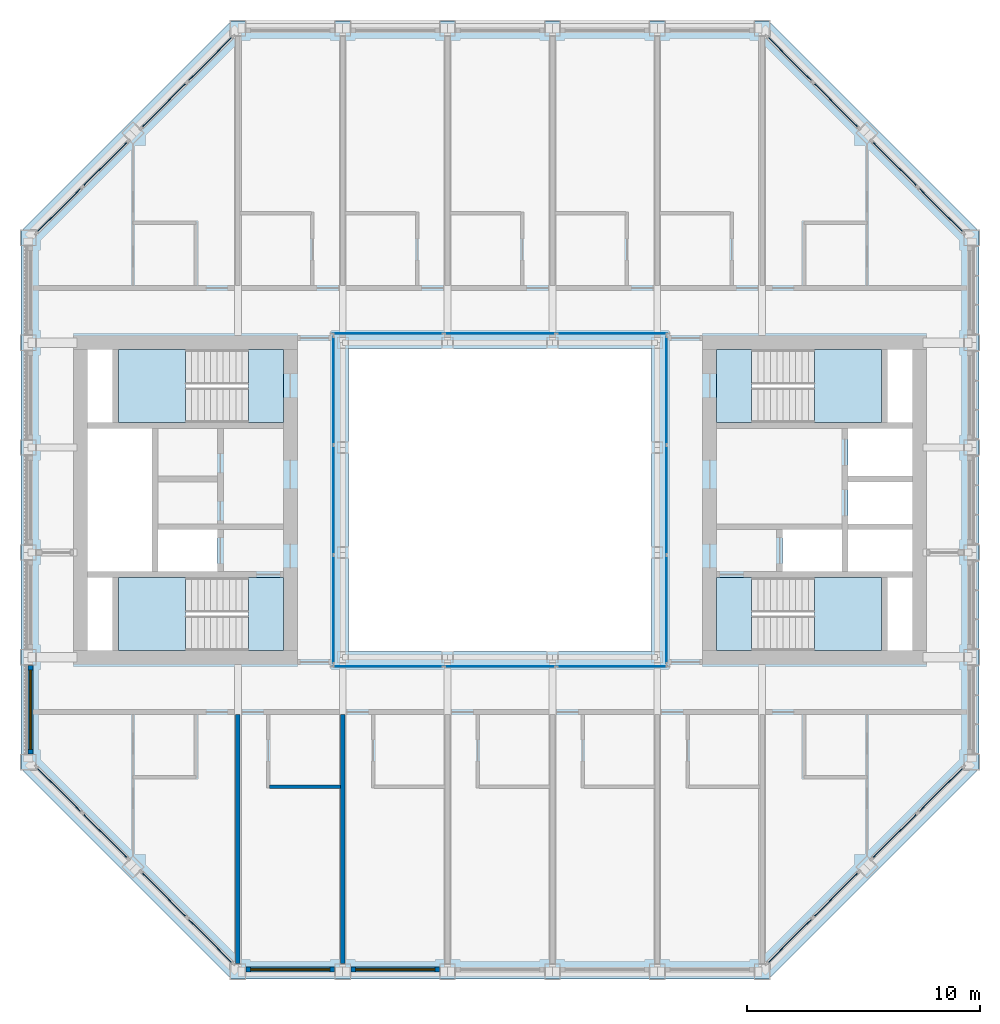
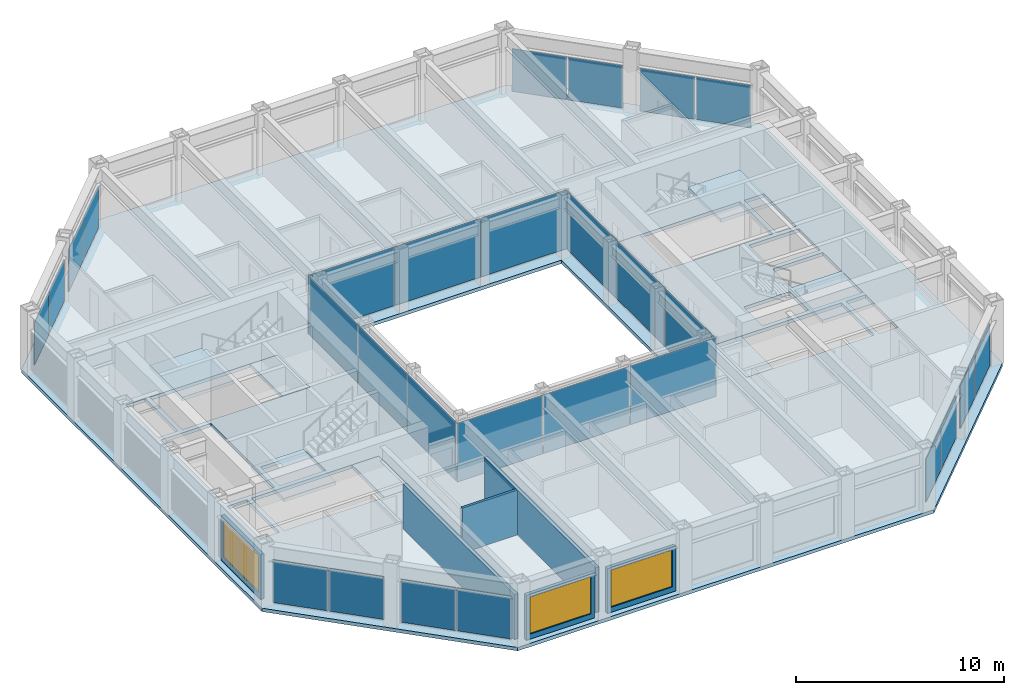
# One storey, part 8 of 18: 28 plates, 9 slabs, 6 walls, 3 windows, 3 openings, 16 elements without a shape of their own.
"""IFC4 building model written with IfcOpenShell, lengths in metres."""

from ifc_helpers import new_model, si_unit, direction, frame, frame_2d, origin, origin_2d, place, context, subcontext, project, spatial, polyline, rectangle, outline, extrude, material, layer, layer_set, type_object, element, fill, aggregate, save


model = new_model("IFC4")

# Units and contexts
model_context = context("Model", 3, precision=1e-05, world=origin(), true_north=direction((0.0, 1.0)))
body_context = subcontext(model_context, "Body", "Model", "MODEL_VIEW")
ifc_project = project(units=[si_unit("LENGTHUNIT", "METRE"), si_unit("AREAUNIT", "SQUARE_METRE"), si_unit("VOLUMEUNIT", "CUBIC_METRE"), si_unit("PLANEANGLEUNIT", "RADIAN"), si_unit("MASSUNIT", "GRAM", prefix="KILO")], contexts=[model_context])

# Site, building, storey
site_placement = place(None, origin())
site = spatial("IfcSite", under=ifc_project, at=site_placement, CompositionType="ELEMENT")
building_placement = place(site_placement, origin())
building = spatial("IfcBuilding", under=site, at=building_placement, Name="Msasa Ring Tower", CompositionType="ELEMENT")
storey_placement = place(building_placement, frame((0.0, 0.0, 200.800048828125)))
storey = spatial("IfcBuildingStorey", under=building, at=storey_placement, Name="L52", CompositionType="ELEMENT", Elevation=200.800048828125)

# Curtain wall, plates
ifc_material_1 = material(Name="Aluminium curtain wall with clear glass", Category="aluminium")
curtain_wall_type_1 = type_object("IfcCurtainWallType", Name="CW-C CHAMFER CORNER CURTAIN WALL", PredefinedType="NOTDEFINED", material=ifc_material_1)
curtain_wall_1_placement = place(storey_placement, origin())
curtain_wall_1 = element("IfcCurtainWall", 1, at=curtain_wall_1_placement, inside=storey, type_object=curtain_wall_type_1, Name="Chamfer corner curtain wall SE L52", PredefinedType="NOTDEFINED")
ifc_material_2 = material(Name="Clear laminated insulating glass unit", Category="glass")
ifc_layer_1 = layer(ifc_material_2, 0.031982421875)
ifc_layer_set_1 = layer_set([ifc_layer_1], Name="CW-C GLASS PANEL 32")
plate_type_1 = type_object("IfcPlateType", Name="CW-C GLASS PANEL 32", PredefinedType="CURTAIN_PANEL", material=ifc_layer_set_1)
plate_1_placement = place(storey_placement, frame((12.44140625, -18.917236328125, 0.06494140625), z_axis=(0.0, 0.0, 1.0), x_axis=(0.707106781187, 0.707106781187, 0.0)))
plate_1 = element("IfcPlate", 2, at=plate_1_placement, type_object=plate_type_1, Name="CW-C panel 1.1", PredefinedType="CURTAIN_PANEL", context=body_context, shape_type="SweptSolid", body=[
    extrude(rectangle(XDim=2.7294921875, YDim=0.031982421875, at=origin_2d()), origin(), (0.0, 0.0, 1.0), 2.4990234375),
])
plate_2_placement = place(storey_placement, frame((14.417236328125, -16.94140625, 0.06494140625), z_axis=(0.0, 0.0, 1.0), x_axis=(0.707106781187, 0.707106781187, 0.0)))
plate_2 = element("IfcPlate", 3, at=plate_2_placement, type_object=plate_type_1, Name="CW-C panel 2.1", PredefinedType="CURTAIN_PANEL", context=body_context, shape_type="SweptSolid", body=[
    extrude(rectangle(XDim=2.7294921875, YDim=0.031982421875, at=origin_2d()), origin(), (0.0, 0.0, 1.0), 2.4990234375),
])
aggregate(curtain_wall_1, [plate_1, plate_2])

curtain_wall_2_placement = place(storey_placement, origin())
curtain_wall_2 = element("IfcCurtainWall", 4, at=curtain_wall_2_placement, inside=storey, type_object=curtain_wall_type_1, Name="Chamfer corner curtain wall SE L52", PredefinedType="NOTDEFINED")
plate_3_placement = place(storey_placement, frame((16.94140625, -14.417236328125, 0.06494140625), z_axis=(0.0, 0.0, 1.0), x_axis=(0.707106781187, 0.707106781187, 0.0)))
plate_3 = element("IfcPlate", 5, at=plate_3_placement, type_object=plate_type_1, Name="CW-C panel 1.1", PredefinedType="CURTAIN_PANEL", context=body_context, shape_type="SweptSolid", body=[
    extrude(rectangle(XDim=2.7294921875, YDim=0.031982421875, at=origin_2d()), origin(), (0.0, 0.0, 1.0), 2.4990234375),
])
plate_4_placement = place(storey_placement, frame((18.917236328125, -12.44140625, 0.06494140625), z_axis=(0.0, 0.0, 1.0), x_axis=(0.707106781187, 0.707106781187, 0.0)))
plate_4 = element("IfcPlate", 6, at=plate_4_placement, type_object=plate_type_1, Name="CW-C panel 2.1", PredefinedType="CURTAIN_PANEL", context=body_context, shape_type="SweptSolid", body=[
    extrude(rectangle(XDim=2.7294921875, YDim=0.031982421875, at=origin_2d()), origin(), (0.0, 0.0, 1.0), 2.4990234375),
])
aggregate(curtain_wall_2, [plate_3, plate_4])

curtain_wall_3_placement = place(storey_placement, origin())
curtain_wall_3 = element("IfcCurtainWall", 7, at=curtain_wall_3_placement, inside=storey, type_object=curtain_wall_type_1, Name="Chamfer corner curtain wall NE L52", PredefinedType="NOTDEFINED")
plate_5_placement = place(storey_placement, frame((14.417236328125, 16.94140625, 0.06494140625), z_axis=(0.0, 0.0, 1.0), x_axis=(-0.707106781187, 0.707106781187, 0.0)))
plate_5 = element("IfcPlate", 8, at=plate_5_placement, type_object=plate_type_1, Name="CW-C panel 1.1", PredefinedType="CURTAIN_PANEL", context=body_context, shape_type="SweptSolid", body=[
    extrude(rectangle(XDim=2.7294921875, YDim=0.031982421875, at=origin_2d()), origin(), (0.0, 0.0, 1.0), 2.4990234375),
])
plate_6_placement = place(storey_placement, frame((12.44140625, 18.917236328125, 0.06494140625), z_axis=(0.0, 0.0, 1.0), x_axis=(-0.707106781187, 0.707106781187, 0.0)))
plate_6 = element("IfcPlate", 9, at=plate_6_placement, type_object=plate_type_1, Name="CW-C panel 2.1", PredefinedType="CURTAIN_PANEL", context=body_context, shape_type="SweptSolid", body=[
    extrude(rectangle(XDim=2.7294921875, YDim=0.031982421875, at=origin_2d()), origin(), (0.0, 0.0, 1.0), 2.4990234375),
])
aggregate(curtain_wall_3, [plate_5, plate_6])

curtain_wall_4_placement = place(storey_placement, origin())
curtain_wall_4 = element("IfcCurtainWall", 10, at=curtain_wall_4_placement, inside=storey, type_object=curtain_wall_type_1, Name="Chamfer corner curtain wall NE L52", PredefinedType="NOTDEFINED")
plate_7_placement = place(storey_placement, frame((18.917236328125, 12.44140625, 0.06494140625), z_axis=(0.0, 0.0, 1.0), x_axis=(-0.707106781187, 0.707106781187, 0.0)))
plate_7 = element("IfcPlate", 11, at=plate_7_placement, type_object=plate_type_1, Name="CW-C panel 1.1", PredefinedType="CURTAIN_PANEL", context=body_context, shape_type="SweptSolid", body=[
    extrude(rectangle(XDim=2.7294921875, YDim=0.031982421875, at=origin_2d()), origin(), (0.0, 0.0, 1.0), 2.4990234375),
])
plate_8_placement = place(storey_placement, frame((16.94140625, 14.417236328125, 0.06494140625), z_axis=(0.0, 0.0, 1.0), x_axis=(-0.707106781187, 0.707106781187, 0.0)))
plate_8 = element("IfcPlate", 12, at=plate_8_placement, type_object=plate_type_1, Name="CW-C panel 2.1", PredefinedType="CURTAIN_PANEL", context=body_context, shape_type="SweptSolid", body=[
    extrude(rectangle(XDim=2.7294921875, YDim=0.031982421875, at=origin_2d()), origin(), (0.0, 0.0, 1.0), 2.4990234375),
])
aggregate(curtain_wall_4, [plate_7, plate_8])

curtain_wall_5_placement = place(storey_placement, origin())
curtain_wall_5 = element("IfcCurtainWall", 13, at=curtain_wall_5_placement, inside=storey, type_object=curtain_wall_type_1, Name="Chamfer corner curtain wall NW L52", PredefinedType="NOTDEFINED")
plate_9_placement = place(storey_placement, frame((-16.94140625, 14.417236328125, 0.06494140625), z_axis=(0.0, 0.0, 1.0), x_axis=(-0.707106781187, -0.707106781187, 0.0)))
plate_9 = element("IfcPlate", 14, at=plate_9_placement, type_object=plate_type_1, Name="CW-C panel 1.1", PredefinedType="CURTAIN_PANEL", context=body_context, shape_type="SweptSolid", body=[
    extrude(rectangle(XDim=2.7294921875, YDim=0.031982421875, at=origin_2d()), origin(), (0.0, 0.0, 1.0), 2.4990234375),
])
plate_10_placement = place(storey_placement, frame((-18.917236328125, 12.44140625, 0.06494140625), z_axis=(0.0, 0.0, 1.0), x_axis=(-0.707106781187, -0.707106781187, 0.0)))
plate_10 = element("IfcPlate", 15, at=plate_10_placement, type_object=plate_type_1, Name="CW-C panel 2.1", PredefinedType="CURTAIN_PANEL", context=body_context, shape_type="SweptSolid", body=[
    extrude(rectangle(XDim=2.7294921875, YDim=0.031982421875, at=origin_2d()), origin(), (0.0, 0.0, 1.0), 2.4990234375),
])
aggregate(curtain_wall_5, [plate_9, plate_10])

curtain_wall_6_placement = place(storey_placement, origin())
curtain_wall_6 = element("IfcCurtainWall", 16, at=curtain_wall_6_placement, inside=storey, type_object=curtain_wall_type_1, Name="Chamfer corner curtain wall NW L52", PredefinedType="NOTDEFINED")
plate_11_placement = place(storey_placement, frame((-12.44140625, 18.917236328125, 0.06494140625), z_axis=(0.0, 0.0, 1.0), x_axis=(-0.707106781187, -0.707106781187, 0.0)))
plate_11 = element("IfcPlate", 17, at=plate_11_placement, type_object=plate_type_1, Name="CW-C panel 1.1", PredefinedType="CURTAIN_PANEL", context=body_context, shape_type="SweptSolid", body=[
    extrude(rectangle(XDim=2.7294921875, YDim=0.031982421875, at=origin_2d()), origin(), (0.0, 0.0, 1.0), 2.4990234375),
])
plate_12_placement = place(storey_placement, frame((-14.417236328125, 16.94140625, 0.06494140625), z_axis=(0.0, 0.0, 1.0), x_axis=(-0.707106781187, -0.707106781187, 0.0)))
plate_12 = element("IfcPlate", 18, at=plate_12_placement, type_object=plate_type_1, Name="CW-C panel 2.1", PredefinedType="CURTAIN_PANEL", context=body_context, shape_type="SweptSolid", body=[
    extrude(rectangle(XDim=2.7294921875, YDim=0.031982421875, at=origin_2d()), origin(), (0.0, 0.0, 1.0), 2.4990234375),
])
aggregate(curtain_wall_6, [plate_11, plate_12])

curtain_wall_7_placement = place(storey_placement, origin())
curtain_wall_7 = element("IfcCurtainWall", 19, at=curtain_wall_7_placement, inside=storey, type_object=curtain_wall_type_1, Name="Chamfer corner curtain wall SW L52", PredefinedType="NOTDEFINED")
plate_13_placement = place(storey_placement, frame((-18.917236328125, -12.44140625, 0.06494140625), z_axis=(0.0, 0.0, 1.0), x_axis=(0.707106781187, -0.707106781187, 0.0)))
plate_13 = element("IfcPlate", 20, at=plate_13_placement, type_object=plate_type_1, Name="CW-C panel 1.1", PredefinedType="CURTAIN_PANEL", context=body_context, shape_type="SweptSolid", body=[
    extrude(rectangle(XDim=2.7294921875, YDim=0.031982421875, at=origin_2d()), origin(), (0.0, 0.0, 1.0), 2.4990234375),
])
plate_14_placement = place(storey_placement, frame((-16.94140625, -14.417236328125, 0.06494140625), z_axis=(0.0, 0.0, 1.0), x_axis=(0.707106781187, -0.707106781187, 0.0)))
plate_14 = element("IfcPlate", 21, at=plate_14_placement, type_object=plate_type_1, Name="CW-C panel 2.1", PredefinedType="CURTAIN_PANEL", context=body_context, shape_type="SweptSolid", body=[
    extrude(rectangle(XDim=2.7294921875, YDim=0.031982421875, at=origin_2d()), origin(), (0.0, 0.0, 1.0), 2.4990234375),
])
aggregate(curtain_wall_7, [plate_13, plate_14])

curtain_wall_8_placement = place(storey_placement, origin())
curtain_wall_8 = element("IfcCurtainWall", 22, at=curtain_wall_8_placement, inside=storey, type_object=curtain_wall_type_1, Name="Chamfer corner curtain wall SW L52", PredefinedType="NOTDEFINED")
plate_15_placement = place(storey_placement, frame((-14.417236328125, -16.94140625, 0.06494140625), z_axis=(0.0, 0.0, 1.0), x_axis=(0.707106781187, -0.707106781187, 0.0)))
plate_15 = element("IfcPlate", 23, at=plate_15_placement, type_object=plate_type_1, Name="CW-C panel 1.1", PredefinedType="CURTAIN_PANEL", context=body_context, shape_type="SweptSolid", body=[
    extrude(rectangle(XDim=2.7294921875, YDim=0.031982421875, at=origin_2d()), origin(), (0.0, 0.0, 1.0), 2.4990234375),
])
plate_16_placement = place(storey_placement, frame((-12.44140625, -18.917236328125, 0.06494140625), z_axis=(0.0, 0.0, 1.0), x_axis=(0.707106781187, -0.707106781187, 0.0)))
plate_16 = element("IfcPlate", 24, at=plate_16_placement, type_object=plate_type_1, Name="CW-C panel 2.1", PredefinedType="CURTAIN_PANEL", context=body_context, shape_type="SweptSolid", body=[
    extrude(rectangle(XDim=2.7294921875, YDim=0.031982421875, at=origin_2d()), origin(), (0.0, 0.0, 1.0), 2.4990234375),
])
aggregate(curtain_wall_8, [plate_15, plate_16])

ifc_material_3 = material(Name="Aluminium curtain wall with clear glass", Category="aluminium")
curtain_wall_type_2 = type_object("IfcCurtainWallType", Name="CW-W LIGHT WELL CURTAIN WALL", PredefinedType="NOTDEFINED", material=ifc_material_3)
curtain_wall_9_placement = place(storey_placement, origin())
curtain_wall_9 = element("IfcCurtainWall", 25, at=curtain_wall_9_placement, inside=storey, type_object=curtain_wall_type_2, Name="Light well curtain wall N L52", PredefinedType="NOTDEFINED")
ifc_material_4 = material(Name="Clear laminated insulating glass unit", Category="glass")
ifc_layer_2 = layer(ifc_material_4, 0.028076171875)
ifc_layer_set_2 = layer_set([ifc_layer_2], Name="CW-W GLASS PANEL 28")
plate_type_2 = type_object("IfcPlateType", Name="CW-W GLASS PANEL 28", PredefinedType="CURTAIN_PANEL", material=ifc_layer_set_2)
plate_17_placement = place(storey_placement, frame((-4.804931640625, 7.14990234375, 0.06005859375), z_axis=(0.0, 0.0, 1.0), x_axis=(1.0, 0.0, 0.0)))
plate_17 = element("IfcPlate", 26, at=plate_17_placement, type_object=plate_type_2, Name="CW-W panel 1.1", PredefinedType="CURTAIN_PANEL", context=body_context, shape_type="SweptSolid", body=[
    extrude(rectangle(XDim=4.72998046875, YDim=0.028076171875, at=origin_2d()), origin(), (0.0, 0.0, 1.0), 3.429931640625),
])
plate_18_placement = place(storey_placement, frame((0.0, 7.14990234375, 0.06005859375), z_axis=(0.0, 0.0, 1.0), x_axis=(1.0, 0.0, 0.0)))
plate_18 = element("IfcPlate", 27, at=plate_18_placement, type_object=plate_type_2, Name="CW-W panel 2.1", PredefinedType="CURTAIN_PANEL", context=body_context, shape_type="SweptSolid", body=[
    extrude(rectangle(XDim=4.760009765625, YDim=0.028076171875, at=origin_2d()), origin(), (0.0, 0.0, 1.0), 3.429931640625),
])
plate_19_placement = place(storey_placement, frame((4.804931640625, 7.14990234375, 0.06005859375), z_axis=(0.0, 0.0, 1.0), x_axis=(1.0, 0.0, 0.0)))
plate_19 = element("IfcPlate", 28, at=plate_19_placement, type_object=plate_type_2, Name="CW-W panel 3.1", PredefinedType="CURTAIN_PANEL", context=body_context, shape_type="SweptSolid", body=[
    extrude(rectangle(XDim=4.72998046875, YDim=0.028076171875, at=origin_2d()), origin(), (0.0, 0.0, 1.0), 3.429931640625),
])
aggregate(curtain_wall_9, [plate_17, plate_18, plate_19])

curtain_wall_10_placement = place(storey_placement, origin())
curtain_wall_10 = element("IfcCurtainWall", 29, at=curtain_wall_10_placement, inside=storey, type_object=curtain_wall_type_2, Name="Light well curtain wall S L52", PredefinedType="NOTDEFINED")
plate_20_placement = place(storey_placement, frame((-4.804931640625, -7.14990234375, 0.06005859375), z_axis=(0.0, 0.0, 1.0), x_axis=(1.0, 0.0, 0.0)))
plate_20 = element("IfcPlate", 30, at=plate_20_placement, type_object=plate_type_2, Name="CW-W panel 1.1", PredefinedType="CURTAIN_PANEL", context=body_context, shape_type="SweptSolid", body=[
    extrude(rectangle(XDim=4.72998046875, YDim=0.028076171875, at=origin_2d()), origin(), (0.0, 0.0, 1.0), 3.429931640625),
])
plate_21_placement = place(storey_placement, frame((0.0, -7.14990234375, 0.06005859375), z_axis=(0.0, 0.0, 1.0), x_axis=(1.0, 0.0, 0.0)))
plate_21 = element("IfcPlate", 31, at=plate_21_placement, type_object=plate_type_2, Name="CW-W panel 2.1", PredefinedType="CURTAIN_PANEL", context=body_context, shape_type="SweptSolid", body=[
    extrude(rectangle(XDim=4.760009765625, YDim=0.028076171875, at=origin_2d()), origin(), (0.0, 0.0, 1.0), 3.429931640625),
])
plate_22_placement = place(storey_placement, frame((4.804931640625, -7.14990234375, 0.06005859375), z_axis=(0.0, 0.0, 1.0), x_axis=(1.0, 0.0, 0.0)))
plate_22 = element("IfcPlate", 32, at=plate_22_placement, type_object=plate_type_2, Name="CW-W panel 3.1", PredefinedType="CURTAIN_PANEL", context=body_context, shape_type="SweptSolid", body=[
    extrude(rectangle(XDim=4.72998046875, YDim=0.028076171875, at=origin_2d()), origin(), (0.0, 0.0, 1.0), 3.429931640625),
])
aggregate(curtain_wall_10, [plate_20, plate_21, plate_22])

curtain_wall_11_placement = place(storey_placement, origin())
curtain_wall_11 = element("IfcCurtainWall", 33, at=curtain_wall_11_placement, inside=storey, type_object=curtain_wall_type_2, Name="Light well curtain wall E L52", PredefinedType="NOTDEFINED")
plate_23_placement = place(storey_placement, frame((7.14990234375, -4.6982421875, 0.06005859375), z_axis=(0.0, 0.0, 1.0), x_axis=(0.0, 1.0, 0.0)))
plate_23 = element("IfcPlate", 34, at=plate_23_placement, type_object=plate_type_2, Name="CW-W panel 1.1", PredefinedType="CURTAIN_PANEL", context=body_context, shape_type="SweptSolid", body=[
    extrude(rectangle(XDim=4.623291015625, YDim=0.028076171875, at=origin_2d()), origin(), (0.0, 0.0, 1.0), 3.429931640625),
])
plate_24_placement = place(storey_placement, frame((7.14990234375, 0.0, 0.06005859375), z_axis=(0.0, 0.0, 1.0), x_axis=(0.0, 1.0, 0.0)))
plate_24 = element("IfcPlate", 35, at=plate_24_placement, type_object=plate_type_2, Name="CW-W panel 2.1", PredefinedType="CURTAIN_PANEL", context=body_context, shape_type="SweptSolid", body=[
    extrude(rectangle(XDim=4.6533203125, YDim=0.028076171875, at=origin_2d()), origin(), (0.0, 0.0, 1.0), 3.429931640625),
])
plate_25_placement = place(storey_placement, frame((7.14990234375, 4.6982421875, 0.06005859375), z_axis=(0.0, 0.0, 1.0), x_axis=(0.0, 1.0, 0.0)))
plate_25 = element("IfcPlate", 36, at=plate_25_placement, type_object=plate_type_2, Name="CW-W panel 3.1", PredefinedType="CURTAIN_PANEL", context=body_context, shape_type="SweptSolid", body=[
    extrude(rectangle(XDim=4.623291015625, YDim=0.028076171875, at=origin_2d()), origin(), (0.0, 0.0, 1.0), 3.429931640625),
])
aggregate(curtain_wall_11, [plate_23, plate_24, plate_25])

curtain_wall_12_placement = place(storey_placement, origin())
curtain_wall_12 = element("IfcCurtainWall", 37, at=curtain_wall_12_placement, inside=storey, type_object=curtain_wall_type_2, Name="Light well curtain wall W L52", PredefinedType="NOTDEFINED")
plate_26_placement = place(storey_placement, frame((-7.14990234375, -4.6982421875, 0.06005859375), z_axis=(0.0, 0.0, 1.0), x_axis=(0.0, 1.0, 0.0)))
plate_26 = element("IfcPlate", 38, at=plate_26_placement, type_object=plate_type_2, Name="CW-W panel 1.1", PredefinedType="CURTAIN_PANEL", context=body_context, shape_type="SweptSolid", body=[
    extrude(rectangle(XDim=4.623291015625, YDim=0.028076171875, at=origin_2d()), origin(), (0.0, 0.0, 1.0), 3.429931640625),
])
plate_27_placement = place(storey_placement, frame((-7.14990234375, 0.0, 0.06005859375), z_axis=(0.0, 0.0, 1.0), x_axis=(0.0, 1.0, 0.0)))
plate_27 = element("IfcPlate", 39, at=plate_27_placement, type_object=plate_type_2, Name="CW-W panel 2.1", PredefinedType="CURTAIN_PANEL", context=body_context, shape_type="SweptSolid", body=[
    extrude(rectangle(XDim=4.6533203125, YDim=0.028076171875, at=origin_2d()), origin(), (0.0, 0.0, 1.0), 3.429931640625),
])
plate_28_placement = place(storey_placement, frame((-7.14990234375, 4.6982421875, 0.06005859375), z_axis=(0.0, 0.0, 1.0), x_axis=(0.0, 1.0, 0.0)))
plate_28 = element("IfcPlate", 40, at=plate_28_placement, type_object=plate_type_2, Name="CW-W panel 3.1", PredefinedType="CURTAIN_PANEL", context=body_context, shape_type="SweptSolid", body=[
    extrude(rectangle(XDim=4.623291015625, YDim=0.028076171875, at=origin_2d()), origin(), (0.0, 0.0, 1.0), 3.429931640625),
])
aggregate(curtain_wall_12, [plate_26, plate_27, plate_28])

# Stair, slabs
ifc_material_5 = material(Name="Concrete C40/50", Category="concrete")
stair_type = type_object("IfcStairType", Name="STC CORE STAIR 22 RISERS 170.5", PredefinedType="HALF_TURN_STAIR", material=ifc_material_5)
stair_1_placement = place(storey_placement, origin())
stair_1 = element("IfcStair", 41, at=stair_1_placement, inside=storey, type_object=stair_type, Name="Core stair SEA L52", PredefinedType="HALF_TURN_STAIR")
ifc_material_6 = material(Name="Concrete C40/50", Category="concrete")
ifc_layer_3 = layer(ifc_material_6, 0.199951171875)
ifc_layer_set_3 = layer_set([ifc_layer_3], Name="LD1 CORE STAIR LANDING 200")
slab_type_1 = type_object("IfcSlabType", Name="LD1 CORE STAIR LANDING 200", PredefinedType="LANDING", material=ifc_layer_set_3)
slab_1_placement = place(storey_placement, frame((0.0, 0.0, -0.199951171875)))
slab_1 = element("IfcSlab", 42, at=slab_1_placement, type_object=slab_type_1, Name="SEA landing 1", PredefinedType="LANDING", context=body_context, shape_type="SweptSolid", body=[
    extrude(outline(polyline([(9.300048828125, -6.449951171875), (10.800048828125, -6.449951171875), (10.800048828125, -3.324951171875), (9.300048828125, -3.324951171875), (9.300048828125, -6.449951171875)])), origin(), (0.0, 0.0, 1.0), 0.199951171875),
])
slab_2_placement = place(storey_placement, frame((0.0, 0.0, 1.675048828125)))
slab_2 = element("IfcSlab", 43, at=slab_2_placement, type_object=slab_type_1, Name="SEA landing 2", PredefinedType="LANDING", context=body_context, shape_type="SweptSolid", body=[
    extrude(outline(polyline([(13.5, -6.449951171875), (16.375, -6.449951171875), (16.375, -3.324951171875), (13.5, -3.324951171875), (13.5, -6.449951171875)])), origin(), (0.0, 0.0, 1.0), 0.199951171875),
])
aggregate(stair_1, [slab_1, slab_2])

stair_2_placement = place(storey_placement, origin())
stair_2 = element("IfcStair", 44, at=stair_2_placement, inside=storey, type_object=stair_type, Name="Core stair SEB L52", PredefinedType="HALF_TURN_STAIR")
slab_3_placement = place(storey_placement, frame((0.0, 0.0, -0.199951171875)))
slab_3 = element("IfcSlab", 45, at=slab_3_placement, type_object=slab_type_1, Name="SEB landing 1", PredefinedType="LANDING", context=body_context, shape_type="SweptSolid", body=[
    extrude(outline(polyline([(9.300048828125, 3.324951171875), (10.800048828125, 3.324951171875), (10.800048828125, 6.449951171875), (9.300048828125, 6.449951171875), (9.300048828125, 3.324951171875)])), origin(), (0.0, 0.0, 1.0), 0.199951171875),
])
slab_4_placement = place(storey_placement, frame((0.0, 0.0, 1.675048828125)))
slab_4 = element("IfcSlab", 46, at=slab_4_placement, type_object=slab_type_1, Name="SEB landing 2", PredefinedType="LANDING", context=body_context, shape_type="SweptSolid", body=[
    extrude(outline(polyline([(13.5, 3.324951171875), (16.375, 3.324951171875), (16.375, 6.449951171875), (13.5, 6.449951171875), (13.5, 3.324951171875)])), origin(), (0.0, 0.0, 1.0), 0.199951171875),
])
aggregate(stair_2, [slab_3, slab_4])

stair_3_placement = place(storey_placement, origin())
stair_3 = element("IfcStair", 47, at=stair_3_placement, inside=storey, type_object=stair_type, Name="Core stair SWA L52", PredefinedType="HALF_TURN_STAIR")
slab_5_placement = place(storey_placement, frame((0.0, 0.0, -0.199951171875)))
slab_5 = element("IfcSlab", 48, at=slab_5_placement, type_object=slab_type_1, Name="SWA landing 1", PredefinedType="LANDING", context=body_context, shape_type="SweptSolid", body=[
    extrude(outline(polyline([(-10.800048828125, -6.449951171875), (-9.300048828125, -6.449951171875), (-9.300048828125, -3.324951171875), (-10.800048828125, -3.324951171875), (-10.800048828125, -6.449951171875)])), origin(), (0.0, 0.0, 1.0), 0.199951171875),
])
slab_6_placement = place(storey_placement, frame((0.0, 0.0, 1.675048828125)))
slab_6 = element("IfcSlab", 49, at=slab_6_placement, type_object=slab_type_1, Name="SWA landing 2", PredefinedType="LANDING", context=body_context, shape_type="SweptSolid", body=[
    extrude(outline(polyline([(-16.375, -6.449951171875), (-13.5, -6.449951171875), (-13.5, -3.324951171875), (-16.375, -3.324951171875), (-16.375, -6.449951171875)])), origin(), (0.0, 0.0, 1.0), 0.199951171875),
])
aggregate(stair_3, [slab_5, slab_6])

stair_4_placement = place(storey_placement, origin())
stair_4 = element("IfcStair", 50, at=stair_4_placement, inside=storey, type_object=stair_type, Name="Core stair SWB L52", PredefinedType="HALF_TURN_STAIR")
slab_7_placement = place(storey_placement, frame((0.0, 0.0, -0.199951171875)))
slab_7 = element("IfcSlab", 51, at=slab_7_placement, type_object=slab_type_1, Name="SWB landing 1", PredefinedType="LANDING", context=body_context, shape_type="SweptSolid", body=[
    extrude(outline(polyline([(-10.800048828125, 3.324951171875), (-9.300048828125, 3.324951171875), (-9.300048828125, 6.449951171875), (-10.800048828125, 6.449951171875), (-10.800048828125, 3.324951171875)])), origin(), (0.0, 0.0, 1.0), 0.199951171875),
])
slab_8_placement = place(storey_placement, frame((0.0, 0.0, 1.675048828125)))
slab_8 = element("IfcSlab", 52, at=slab_8_placement, type_object=slab_type_1, Name="SWB landing 2", PredefinedType="LANDING", context=body_context, shape_type="SweptSolid", body=[
    extrude(outline(polyline([(-16.375, 3.324951171875), (-13.5, 3.324951171875), (-13.5, 6.449951171875), (-16.375, 6.449951171875), (-16.375, 3.324951171875)])), origin(), (0.0, 0.0, 1.0), 0.199951171875),
])
aggregate(stair_4, [slab_7, slab_8])

# Slab
ifc_material_7 = material(Name="Concrete C40/50", Category="concrete")
ifc_layer_4 = layer(ifc_material_7, 0.199951171875)
ifc_layer_set_4 = layer_set([ifc_layer_4], Name="S8 SUITE FLOOR 200")
slab_type_2 = type_object("IfcSlabType", Name="S8 SUITE FLOOR 200", PredefinedType="FLOOR", material=ifc_layer_set_4)
slab_9_placement = place(storey_placement, frame((0.0, 0.0, -0.199951171875)))
element("IfcSlab", 53, at=slab_9_placement, inside=storey, type_object=slab_type_2, Name="Floor slab L52", PredefinedType="FLOOR", context=body_context, shape_type="SweptSolid", body=[
    extrude(outline(polyline([(-11.550048828125, -20.550048828125), (11.550048828125, -20.550048828125), (20.550048828125, -11.550048828125), (20.550048828125, 11.550048828125), (11.550048828125, 20.550048828125), (-11.550048828125, 20.550048828125), (-20.550048828125, 11.550048828125), (-20.550048828125, -11.550048828125), (-11.550048828125, -20.550048828125)]), holes=[polyline([(-6.5, -6.5), (6.5, -6.5), (6.5, 6.5), (-6.5, 6.5), (-6.5, -6.5)]), polyline([(9.300048828125, -6.449951171875), (16.375, -6.449951171875), (16.375, -3.324951171875), (9.300048828125, -3.324951171875), (9.300048828125, -6.449951171875)]), polyline([(9.300048828125, 3.324951171875), (16.375, 3.324951171875), (16.375, 6.449951171875), (9.300048828125, 6.449951171875), (9.300048828125, 3.324951171875)]), polyline([(12.125, -3.074951171875), (14.675048828125, -3.074951171875), (14.675048828125, -1.27490234375), (12.125, -1.27490234375), (12.125, -3.074951171875)]), polyline([(16.625, -6.449951171875), (17.699951171875, -6.449951171875), (17.699951171875, -3.324951171875), (16.625, -3.324951171875), (16.625, -6.449951171875)]), polyline([(16.625, 3.324951171875), (17.699951171875, 3.324951171875), (17.699951171875, 6.449951171875), (16.625, 6.449951171875), (16.625, 3.324951171875)]), polyline([(14.925048828125, -3.074951171875), (17.699951171875, -3.074951171875), (17.699951171875, -1.27490234375), (14.925048828125, -1.27490234375), (14.925048828125, -3.074951171875)]), polyline([(14.925048828125, -1.02490234375), (17.699951171875, -1.02490234375), (17.699951171875, 0.77490234375), (14.925048828125, 0.77490234375), (14.925048828125, -1.02490234375)]), polyline([(14.925048828125, 1.02490234375), (17.699951171875, 1.02490234375), (17.699951171875, 3.074951171875), (14.925048828125, 3.074951171875), (14.925048828125, 1.02490234375)]), polyline([(-16.375, -6.449951171875), (-9.300048828125, -6.449951171875), (-9.300048828125, -3.324951171875), (-16.375, -3.324951171875), (-16.375, -6.449951171875)]), polyline([(-16.375, 3.324951171875), (-9.300048828125, 3.324951171875), (-9.300048828125, 6.449951171875), (-16.375, 6.449951171875), (-16.375, 3.324951171875)]), polyline([(-14.675048828125, -3.074951171875), (-12.125, -3.074951171875), (-12.125, -1.27490234375), (-14.675048828125, -1.27490234375), (-14.675048828125, -3.074951171875)]), polyline([(-17.699951171875, -6.449951171875), (-16.625, -6.449951171875), (-16.625, -3.324951171875), (-17.699951171875, -3.324951171875), (-17.699951171875, -6.449951171875)]), polyline([(-17.699951171875, 3.324951171875), (-16.625, 3.324951171875), (-16.625, 6.449951171875), (-17.699951171875, 6.449951171875), (-17.699951171875, 3.324951171875)]), polyline([(-17.699951171875, -3.074951171875), (-14.925048828125, -3.074951171875), (-14.925048828125, 3.074951171875), (-17.699951171875, 3.074951171875), (-17.699951171875, -3.074951171875)])]), origin(), (0.0, 0.0, 1.0), 0.199951171875),
])

# Wall, opening, window
ifc_material_8 = material(Name="Terracotta rainscreen on blockwork", Category="masonry")
ifc_layer_5 = layer(ifc_material_8, 0.199951171875)
ifc_layer_set_5 = layer_set([ifc_layer_5], Name="FW1 TERRACOTTA-LINED INFILL BAY WALL 200")
wall_type_1 = type_object("IfcWallType", Name="FW1 TERRACOTTA-LINED INFILL BAY WALL 200", PredefinedType="SOLIDWALL", material=ifc_layer_set_5)
wall_1_placement = place(storey_placement, frame((-10.89501953125, -20.14990234375, 0.0), z_axis=(0.0, 0.0, 1.0), x_axis=(1.0, 0.0, 0.0)))
wall_1 = element("IfcWall", 54, at=wall_1_placement, inside=storey, type_object=wall_type_1, Name="Infill bay wall S L52 00", PredefinedType="SOLIDWALL", context=body_context, shape_type="SweptSolid", body=[
    extrude(rectangle(XDim=3.7900390625, YDim=0.199951171875, at=frame_2d((1.89501953125, 0.0))), origin(), (0.0, 0.0, 1.0), 2.62890625),
])
opening_1_placement = place(wall_1_placement, frame((0.195068359375, 0.0, 0.300048828125)))
opening_1 = element("IfcOpeningElement", 55, at=opening_1_placement, cuts=wall_1, Name="Opening WN3", PredefinedType="OPENING", context=body_context, shape_type="SweptSolid", body=[
    extrude(rectangle(XDim=3.39990234375, YDim=2.178955078125, at=frame_2d((1.699951171875, 1.08935546875))), frame((0.0, 0.10986328125, 0.0), z_axis=(0.0, -1.0, 0.0), x_axis=(1.0, 0.0, 0.0)), (0.0, 0.0, 1.0), 0.219970703125),
])
ifc_material_9 = material(Name="Aluminium frame with clear glass", Category="aluminium")
window_type = type_object("IfcWindowType", Name="WN3 SUITE WINDOW 3400x2179", PartitioningType="SINGLE_PANEL", PredefinedType="WINDOW", material=ifc_material_9)
window_1_placement = place(opening_1_placement, origin())
window_1 = element("IfcWindow", 56, at=window_1_placement, inside=storey, type_object=window_type, Name="Window S L52 00", OverallHeight=2.178955078125, OverallWidth=3.39990234375, PartitioningType="SINGLE_PANEL", PredefinedType="WINDOW", context=body_context, shape_type="SweptSolid", body=[
    extrude(rectangle(XDim=3.39990234375, YDim=2.178955078125, at=frame_2d((1.699951171875, 1.08935546875))), frame((0.0, 0.030029296875, 0.0), z_axis=(0.0, -1.0, 0.0), x_axis=(1.0, 0.0, 0.0)), (0.0, 0.0, 1.0), 0.06005859375),
])
fill(opening_1, window_1)

wall_2_placement = place(storey_placement, frame((-6.39501953125, -20.14990234375, 0.0), z_axis=(0.0, 0.0, 1.0), x_axis=(1.0, 0.0, 0.0)))
wall_2 = element("IfcWall", 57, at=wall_2_placement, inside=storey, type_object=wall_type_1, Name="Infill bay wall S L52 01", PredefinedType="SOLIDWALL", context=body_context, shape_type="SweptSolid", body=[
    extrude(rectangle(XDim=3.7900390625, YDim=0.199951171875, at=frame_2d((1.89501953125, 0.0))), origin(), (0.0, 0.0, 1.0), 2.62890625),
])
opening_2_placement = place(wall_2_placement, frame((0.195068359375, 0.0, 0.300048828125)))
opening_2 = element("IfcOpeningElement", 58, at=opening_2_placement, cuts=wall_2, Name="Opening WN3", PredefinedType="OPENING", context=body_context, shape_type="SweptSolid", body=[
    extrude(rectangle(XDim=3.39990234375, YDim=2.178955078125, at=frame_2d((1.699951171875, 1.08935546875))), frame((0.0, 0.10986328125, 0.0), z_axis=(0.0, -1.0, 0.0), x_axis=(1.0, 0.0, 0.0)), (0.0, 0.0, 1.0), 0.219970703125),
])
window_2_placement = place(opening_2_placement, origin())
window_2 = element("IfcWindow", 59, at=window_2_placement, inside=storey, type_object=window_type, Name="Window S L52 01", OverallHeight=2.178955078125, OverallWidth=3.39990234375, PartitioningType="SINGLE_PANEL", PredefinedType="WINDOW", context=body_context, shape_type="SweptSolid", body=[
    extrude(rectangle(XDim=3.39990234375, YDim=2.178955078125, at=frame_2d((1.699951171875, 1.08935546875))), frame((0.0, 0.030029296875, 0.0), z_axis=(0.0, -1.0, 0.0), x_axis=(1.0, 0.0, 0.0)), (0.0, 0.0, 1.0), 0.06005859375),
])
fill(opening_2, window_2)

wall_3_placement = place(storey_placement, frame((-20.14990234375, -10.89501953125, 0.0), z_axis=(0.0, 0.0, 1.0), x_axis=(0.0, 1.0, 0.0)))
wall_3 = element("IfcWall", 60, at=wall_3_placement, inside=storey, type_object=wall_type_1, Name="Infill bay wall W L52 21", PredefinedType="SOLIDWALL", context=body_context, shape_type="SweptSolid", body=[
    extrude(rectangle(XDim=3.7900390625, YDim=0.199951171875, at=frame_2d((1.89501953125, 0.0))), origin(), (0.0, 0.0, 1.0), 2.62890625),
])
opening_3_placement = place(wall_3_placement, frame((0.195068359375, 0.0, 0.300048828125)))
opening_3 = element("IfcOpeningElement", 61, at=opening_3_placement, cuts=wall_3, Name="Opening WN3", PredefinedType="OPENING", context=body_context, shape_type="SweptSolid", body=[
    extrude(rectangle(XDim=3.39990234375, YDim=2.178955078125, at=frame_2d((1.699951171875, 1.08935546875))), frame((0.0, 0.10986328125, 0.0), z_axis=(0.0, -1.0, 0.0), x_axis=(1.0, 0.0, 0.0)), (0.0, 0.0, 1.0), 0.219970703125),
])
window_3_placement = place(opening_3_placement, origin())
window_3 = element("IfcWindow", 62, at=window_3_placement, inside=storey, type_object=window_type, Name="Window W L52 21", OverallHeight=2.178955078125, OverallWidth=3.39990234375, PartitioningType="SINGLE_PANEL", PredefinedType="WINDOW", context=body_context, shape_type="SweptSolid", body=[
    extrude(rectangle(XDim=3.39990234375, YDim=2.178955078125, at=frame_2d((1.699951171875, 1.08935546875))), frame((0.0, 0.030029296875, 0.0), z_axis=(0.0, -1.0, 0.0), x_axis=(1.0, 0.0, 0.0)), (0.0, 0.0, 1.0), 0.06005859375),
])
fill(opening_3, window_3)

# Walls
ifc_material_10 = material(Name="Dense concrete blockwork, plastered both faces", Category="masonry")
ifc_layer_6 = layer(ifc_material_10, 0.25)
ifc_layer_set_6 = layer_set([ifc_layer_6], Name="PT3 APARTMENT SEPARATING WALL 250")
wall_type_2 = type_object("IfcWallType", Name="PT3 APARTMENT SEPARATING WALL 250", PredefinedType="PARTITIONING", material=ifc_layer_set_6)
for number, where, z_axis, x_axis, name in (
    (63, (-11.25, -19.89990234375, 0.0), (0.0, 0.0, 1.0), (0.0, 1.0, 0.0), "Party wall L52-PWS-11.25"),
    (64, (-6.75, -19.89990234375, 0.0), (0.0, 0.0, 1.0), (0.0, 1.0, 0.0), "Party wall L52-PWS-6.75"),
):
    element("IfcWall", number, at=place(storey_placement, frame(where, z_axis=z_axis, x_axis=x_axis)), inside=storey, type_object=wall_type_2, Name=name, PredefinedType="PARTITIONING", context=body_context, shape_type="SweptSolid", body=[
        extrude(rectangle(XDim=10.699951171875, YDim=0.199951171875, at=frame_2d((5.35009765625, 0.0))), origin(), (0.0, 0.0, 1.0), 2.62890625),
    ])
ifc_material_11 = material(Name="Moisture-resistant board on steel studs with a concealed cistern and pipe void, tiled", Category="steel")
ifc_layer_7 = layer(ifc_material_11, 0.14990234375)
ifc_layer_set_7 = layer_set([ifc_layer_7], Name="PT4 BATHROOM WET WALL 150")
wall_type_3 = type_object("IfcWallType", Name="PT4 BATHROOM WET WALL 150", PredefinedType="PARTITIONING", material=ifc_layer_set_7)
wall_4_placement = place(storey_placement, frame((-9.89990234375, -12.300048828125, 0.0), z_axis=(0.0, 0.0, 1.0), x_axis=(1.0, 0.0, 0.0)))
element("IfcWall", 65, at=wall_4_placement, inside=storey, type_object=wall_type_3, Name="Partition L52-JS00BY", PredefinedType="PARTITIONING", context=body_context, shape_type="SweptSolid", body=[
    extrude(rectangle(XDim=3.0498046875, YDim=0.14990234375, at=frame_2d((1.52490234375, 0.0))), origin(), (0.0, 0.0, 1.0), 2.62890625),
])

save(model, "model.ifc")
